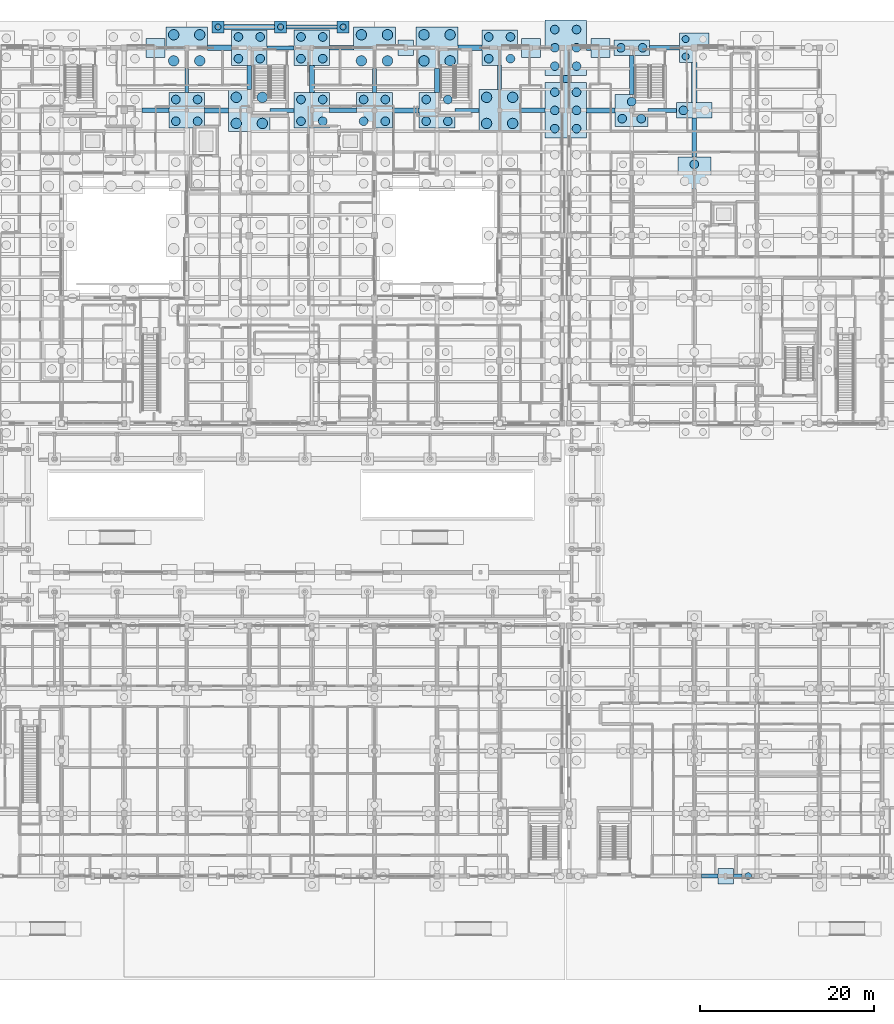
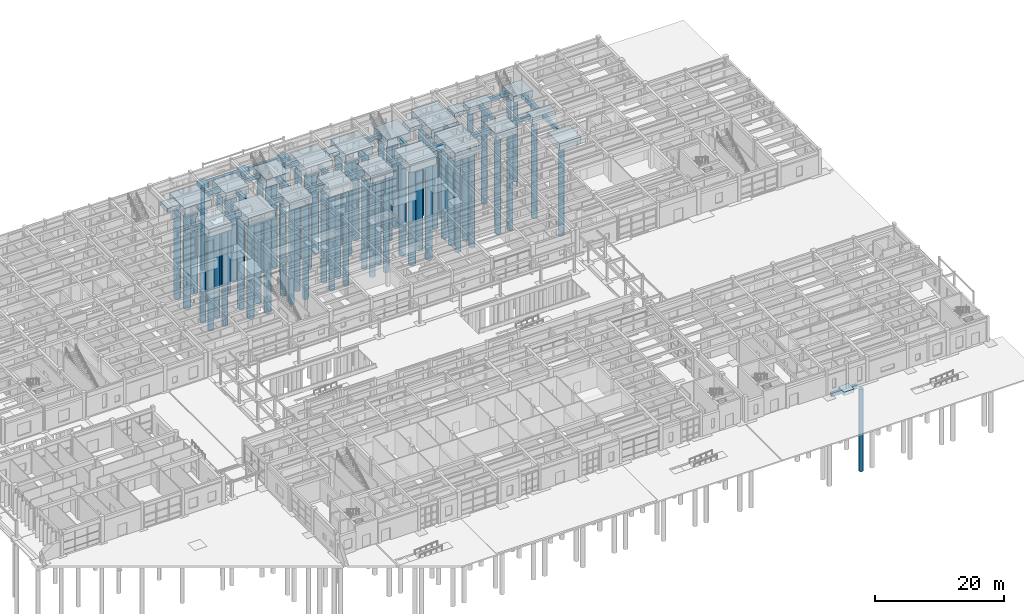
# One storey, part 10 of 143: 73 piles, 56 footings.
"""IFC4 building model written with IfcOpenShell, lengths in metres."""

from ifc_helpers import new_model, si_unit, direction, frame, origin, origin_2d, place, context, subcontext, project, spatial, rectangle, circle, extrude, material, material_profile, profile_set, type_object, element, save


model = new_model("IFC4")

# Units and contexts
model_context = context("Model", 3, precision=1e-05, world=origin(), true_north=direction((0.0, 1.0)))
body_context = subcontext(model_context, "Body", "Model", "MODEL_VIEW")
ifc_project = project(units=[si_unit("LENGTHUNIT", "METRE"), si_unit("AREAUNIT", "SQUARE_METRE"), si_unit("VOLUMEUNIT", "CUBIC_METRE"), si_unit("PLANEANGLEUNIT", "RADIAN"), si_unit("MASSUNIT", "GRAM", prefix="KILO")], contexts=[model_context])

# Site, building, storey
site_placement = place(None, origin())
site = spatial("IfcSite", under=ifc_project, at=site_placement, CompositionType="ELEMENT")
building_placement = place(site_placement, origin())
building = spatial("IfcBuilding", under=site, at=building_placement, Name="Steenspoor Specialist Clinic", CompositionType="ELEMENT")
storey_placement = place(building_placement, origin())
storey = spatial("IfcBuildingStorey", under=building, at=storey_placement, Name="L00", CompositionType="ELEMENT", Elevation=0.0)

# Footings
ifc_material = material(Name="Concrete C35/45", Category="concrete")
footing_type_1 = type_object("IfcFootingType", Name="FTG-PAD-180", PredefinedType="PAD_FOOTING", material=ifc_material)
for number, where, z_axis, x_axis, name in (
    (1, (136.0, 13.050048828125, -0.64990234375), (0.0, 0.0, 1.0), (1.0, 0.0, 0.0), "Pad Footing FTG-PAD-069"),
    (2, (99.199951171875, 108.35009765625, -0.64990234375), (0.0, 0.0, 1.0), (1.0, 0.0, 0.0), "Pad Footing FTG-PAD-073"),
):
    element("IfcFooting", number, at=place(storey_placement, frame(where, z_axis=z_axis, x_axis=x_axis)), inside=storey, type_object=footing_type_1, Name=name, PredefinedType="PAD_FOOTING", context=body_context, shape_type="SweptSolid", body=[
        extrude(rectangle(XDim=1.800048828125, YDim=1.800048828125, at=origin_2d()), origin(), (0.0, 0.0, 1.0), 0.64990234375),
    ])
footing_type_2 = type_object("IfcFootingType", Name="FTG-PAD-220", PredefinedType="PAD_FOOTING", material=ifc_material)
for number, where, z_axis, x_axis, name in (
    (3, (70.39990234375, 108.35009765625, -0.75), (0.0, 0.0, 1.0), (1.0, 0.0, 0.0), "Pad Footing FTG-PAD-072"),
    (4, (113.60009765625, 108.35009765625, -0.75), (0.0, 0.0, 1.0), (1.0, 0.0, 0.0), "Pad Footing FTG-PAD-074"),
    (5, (121.60009765625, 108.35009765625, -0.75), (0.0, 0.0, 1.0), (1.0, 0.0, 0.0), "Pad Footing FTG-PAD-076"),
):
    element("IfcFooting", number, at=place(storey_placement, frame(where, z_axis=z_axis, x_axis=x_axis)), inside=storey, type_object=footing_type_2, Name=name, PredefinedType="PAD_FOOTING", context=body_context, shape_type="SweptSolid", body=[
        extrude(rectangle(XDim=2.199951171875, YDim=2.199951171875, at=origin_2d()), origin(), (0.0, 0.0, 1.0), 0.75),
    ])
footing_type_3 = type_object("IfcFootingType", Name="FTG-PC-1P-700", PredefinedType="PILE_CAP", material=ifc_material)
for number, where, z_axis, x_axis, name in (
    (6, (77.60009765625, 110.75, -0.89990234375), (0.0, 0.0, 1.0), (1.0, 0.0, 0.0), "Pad Footing FTG-PAD-006"),
    (7, (84.800048828125, 110.75, -0.89990234375), (0.0, 0.0, 1.0), (1.0, 0.0, 0.0), "Pad Footing FTG-PAD-007"),
    (8, (92.0, 110.75, -0.89990234375), (0.0, 0.0, 1.0), (1.0, 0.0, 0.0), "Pad Footing FTG-PAD-008"),
):
    element("IfcFooting", number, at=place(storey_placement, frame(where, z_axis=z_axis, x_axis=x_axis)), inside=storey, type_object=footing_type_3, Name=name, PredefinedType="PILE_CAP", context=body_context, shape_type="SweptSolid", body=[
        extrude(rectangle(XDim=1.39990234375, YDim=1.39990234375, at=origin_2d()), origin(), (0.0, 0.0, 1.0), 0.89990234375),
    ])
footing_type_4 = type_object("IfcFootingType", Name="FTG-PC-2P-1000", PredefinedType="PILE_CAP", material=ifc_material)
for number, where, z_axis, x_axis, name in (
    (9, (125.199951171875, 108.35009765625, -1.25), (0.0, 0.0, 1.0), (1.0, 0.0, 0.0), "Pile Cap FTG-PC-205"),
    (10, (132.39990234375, 101.14990234375, -1.25), (0.0, 0.0, 1.0), (1.0, 0.0, 0.0), "Pile Cap FTG-PC-211"),
):
    element("IfcFooting", number, at=place(storey_placement, frame(where, z_axis=z_axis, x_axis=x_axis)), inside=storey, type_object=footing_type_4, Name=name, PredefinedType="PILE_CAP", context=body_context, shape_type="SweptSolid", body=[
        extrude(rectangle(XDim=4.10009765625, YDim=1.800048828125, at=origin_2d()), origin(), (0.0, 0.0, 1.0), 1.25),
    ])
footing_type_5 = type_object("IfcFootingType", Name="FTG-PC-3P-1000", PredefinedType="PILE_CAP", material=ifc_material)
for number, where, z_axis, x_axis, name in (
    (11, (125.199951171875, 101.14990234375, -1.2998046875), (0.0, 0.0, 1.0), (1.0, 0.0, 0.0), "Pile Cap FTG-PC-204"),
    (12, (132.39990234375, 93.949951171875, -1.2998046875), (0.0, 0.0, 1.0), (1.0, 0.0, 0.0), "Pile Cap FTG-PC-210"),
):
    element("IfcFooting", number, at=place(storey_placement, frame(where, z_axis=z_axis, x_axis=x_axis)), inside=storey, type_object=footing_type_5, Name=name, PredefinedType="PILE_CAP", context=body_context, shape_type="SweptSolid", body=[
        extrude(rectangle(XDim=3.800048828125, YDim=3.699951171875, at=origin_2d()), origin(), (0.0, 0.0, 1.0), 1.300048828125),
    ])
footing_type_6 = type_object("IfcFootingType", Name="FTG-PC-4P-1000", PredefinedType="PILE_CAP", material=ifc_material)
for number, where, z_axis, x_axis, name in (
    (13, (74.0, 101.14990234375, -1.39990234375), (0.0, 0.0, 1.0), (1.0, 0.0, 0.0), "Pile Cap FTG-PC-125"),
    (14, (81.199951171875, 108.35009765625, -1.39990234375), (0.0, 0.0, 1.0), (1.0, 0.0, 0.0), "Pile Cap FTG-PC-133"),
    (15, (88.39990234375, 101.14990234375, -1.39990234375), (0.0, 0.0, 1.0), (1.0, 0.0, 0.0), "Pile Cap FTG-PC-139"),
    (16, (88.39990234375, 108.35009765625, -1.39990234375), (0.0, 0.0, 1.0), (1.0, 0.0, 0.0), "Pile Cap FTG-PC-140"),
    (17, (95.60009765625, 101.14990234375, -1.39990234375), (0.0, 0.0, 1.0), (1.0, 0.0, 0.0), "Pile Cap FTG-PC-146"),
    (18, (102.800048828125, 101.14990234375, -1.39990234375), (0.0, 0.0, 1.0), (1.0, 0.0, 0.0), "Pile Cap FTG-PC-152"),
    (19, (110.0, 108.35009765625, -1.39990234375), (0.0, 0.0, 1.0), (1.0, 0.0, 0.0), "Pile Cap FTG-PC-160"),
):
    element("IfcFooting", number, at=place(storey_placement, frame(where, z_axis=z_axis, x_axis=x_axis)), inside=storey, type_object=footing_type_6, Name=name, PredefinedType="PILE_CAP", context=body_context, shape_type="SweptSolid", body=[
        extrude(rectangle(XDim=4.10009765625, YDim=4.10009765625, at=origin_2d()), origin(), (0.0, 0.0, 1.0), 1.39990234375),
    ])
footing_type_7 = type_object("IfcFootingType", Name="FTG-PC-4P-1200", PredefinedType="PILE_CAP", material=ifc_material)
for number, where, z_axis, x_axis, name in (
    (20, (74.0, 108.35009765625, -1.5498046875), (0.0, 0.0, 1.0), (1.0, 0.0, 0.0), "Pile Cap FTG-PC-126"),
    (21, (81.199951171875, 101.14990234375, -1.5498046875), (0.0, 0.0, 1.0), (1.0, 0.0, 0.0), "Pile Cap FTG-PC-132"),
    (22, (95.60009765625, 108.35009765625, -1.5498046875), (0.0, 0.0, 1.0), (1.0, 0.0, 0.0), "Pile Cap FTG-PC-147"),
    (23, (102.800048828125, 108.35009765625, -1.5498046875), (0.0, 0.0, 1.0), (1.0, 0.0, 0.0), "Pile Cap FTG-PC-153"),
    (24, (110.0, 101.14990234375, -1.5498046875), (0.0, 0.0, 1.0), (1.0, 0.0, 0.0), "Pile Cap FTG-PC-159"),
):
    element("IfcFooting", number, at=place(storey_placement, frame(where, z_axis=z_axis, x_axis=x_axis)), inside=storey, type_object=footing_type_7, Name=name, PredefinedType="PILE_CAP", context=body_context, shape_type="SweptSolid", body=[
        extrude(rectangle(XDim=4.800048828125, YDim=4.800048828125, at=origin_2d()), origin(), (0.0, 0.0, 1.0), 1.550048828125),
    ])
footing_type_8 = type_object("IfcFootingType", Name="FTG-PC-4P-800", PredefinedType="PILE_CAP", material=ifc_material)
footing_1_placement = place(storey_placement, frame((132.39990234375, 108.35009765625, -1.2001953125), z_axis=(0.0, 0.0, 1.0), x_axis=(1.0, 0.0, 0.0)))
element("IfcFooting", 25, at=footing_1_placement, inside=storey, type_object=footing_type_8, Name="Pile Cap FTG-PC-212", PredefinedType="PILE_CAP", context=body_context, shape_type="SweptSolid", body=[
    extrude(rectangle(XDim=3.39990234375, YDim=3.39990234375, at=origin_2d()), origin(), (0.0, 0.0, 1.0), 1.199951171875),
])
footing_type_9 = type_object("IfcFootingType", Name="FTG-PC-SJ-6P", PredefinedType="PILE_CAP", material=ifc_material)
for number, where, z_axis, x_axis, name in (
    (26, (117.60009765625, 101.14990234375, -1.60009765625), (0.0, 0.0, 1.0), (1.0, 0.0, 0.0), "Pile Cap FTG-PC-166"),
    (27, (117.60009765625, 108.35009765625, -1.60009765625), (0.0, 0.0, 1.0), (1.0, 0.0, 0.0), "Pile Cap FTG-PC-167"),
):
    element("IfcFooting", number, at=place(storey_placement, frame(where, z_axis=z_axis, x_axis=x_axis)), inside=storey, type_object=footing_type_9, Name=name, PredefinedType="PILE_CAP", context=body_context, shape_type="SweptSolid", body=[
        extrude(rectangle(XDim=4.800048828125, YDim=6.39990234375, at=origin_2d()), origin(), (0.0, 0.0, 1.0), 1.60009765625),
    ])
footing_type_10 = type_object("IfcFootingType", Name="FTG-TB-450X650", PredefinedType="FOOTING_BEAM", material=ifc_material)
footing_2_placement = place(storey_placement, frame((134.14990234375, 13.050048828125, -0.64990234375), z_axis=(0.0, 0.0, 1.0), x_axis=(1.0, 0.0, 0.0)))
element("IfcFooting", 28, at=footing_2_placement, inside=storey, type_object=footing_type_10, Name="Seismic Tie Beam FTG-TB-014", PredefinedType="FOOTING_BEAM", context=body_context, shape_type="SweptSolid", body=[
    extrude(rectangle(XDim=1.89990234375, YDim=0.449951171875, at=origin_2d()), origin(), (0.0, 0.0, 1.0), 0.64990234375),
])
for number, where, z_axis, x_axis, name in (
    (29, (84.97509765625, 101.14990234375, -0.64990234375), (0.0, 0.0, 1.0), (1.0, 0.0, 0.0), "Seismic Tie Beam FTG-TB-233"),
    (30, (106.22509765625, 101.14990234375, -0.64990234375), (0.0, 0.0, 1.0), (1.0, 0.0, 0.0), "Seismic Tie Beam FTG-TB-236"),
):
    element("IfcFooting", number, at=place(storey_placement, frame(where, z_axis=z_axis, x_axis=x_axis)), inside=storey, type_object=footing_type_10, Name=name, PredefinedType="FOOTING_BEAM", context=body_context, shape_type="SweptSolid", body=[
        extrude(rectangle(XDim=2.75, YDim=0.449951171875, at=origin_2d()), origin(), (0.0, 0.0, 1.0), 0.64990234375),
    ])
footing_3_placement = place(storey_placement, frame((128.72509765625, 101.14990234375, -0.64990234375), z_axis=(0.0, 0.0, 1.0), x_axis=(1.0, 0.0, 0.0)))
element("IfcFooting", 31, at=footing_3_placement, inside=storey, type_object=footing_type_10, Name="Seismic Tie Beam FTG-TB-239", PredefinedType="FOOTING_BEAM", context=body_context, shape_type="SweptSolid", body=[
    extrude(rectangle(XDim=3.25, YDim=0.449951171875, at=origin_2d()), origin(), (0.0, 0.0, 1.0), 0.64990234375),
])
footing_4_placement = place(storey_placement, frame((84.800048828125, 108.35009765625, -0.64990234375), z_axis=(0.0, 0.0, 1.0), x_axis=(1.0, 0.0, 0.0)))
element("IfcFooting", 32, at=footing_4_placement, inside=storey, type_object=footing_type_10, Name="Seismic Tie Beam FTG-TB-251", PredefinedType="FOOTING_BEAM", context=body_context, shape_type="SweptSolid", body=[
    extrude(rectangle(XDim=3.10009765625, YDim=0.449951171875, at=origin_2d()), origin(), (0.0, 0.0, 1.0), 0.64990234375),
])
footing_5_placement = place(storey_placement, frame((88.39990234375, 110.75, -0.64990234375), z_axis=(0.0, 0.0, 1.0), x_axis=(1.0, 0.0, 0.0)))
element("IfcFooting", 33, at=footing_5_placement, inside=storey, type_object=footing_type_10, Name="Seismic Tie Beam FTG-TB-263", PredefinedType="FOOTING_BEAM", context=body_context, shape_type="SweptSolid", body=[
    extrude(rectangle(XDim=5.800048828125, YDim=0.449951171875, at=origin_2d()), origin(), (0.0, 0.0, 1.0), 0.64990234375),
])
for number, where, z_axis, x_axis, name in (
    (34, (74.0, 104.574951171875, -0.64990234375), (0.0, 0.0, 1.0), (1.0, 0.0, 0.0), "Seismic Tie Beam FTG-TB-356"),
    (35, (95.60009765625, 104.574951171875, -0.64990234375), (0.0, 0.0, 1.0), (1.0, 0.0, 0.0), "Seismic Tie Beam FTG-TB-386"),
    (36, (110.0, 104.925048828125, -0.64990234375), (0.0, 0.0, 1.0), (1.0, 0.0, 0.0), "Seismic Tie Beam FTG-TB-404"),
):
    element("IfcFooting", number, at=place(storey_placement, frame(where, z_axis=z_axis, x_axis=x_axis)), inside=storey, type_object=footing_type_10, Name=name, PredefinedType="FOOTING_BEAM", context=body_context, shape_type="SweptSolid", body=[
        extrude(rectangle(XDim=0.449951171875, YDim=2.75, at=origin_2d()), origin(), (0.0, 0.0, 1.0), 0.64990234375),
    ])
footing_type_11 = type_object("IfcFootingType", Name="FTG-TB-500X700", PredefinedType="FOOTING_BEAM", material=ifc_material)
footing_6_placement = place(storey_placement, frame((137.39990234375, 13.050048828125, -0.7001953125), z_axis=(0.0, 0.0, 1.0), x_axis=(1.0, 0.0, 0.0)))
element("IfcFooting", 37, at=footing_6_placement, inside=storey, type_object=footing_type_11, Name="Seismic Tie Beam FTG-TB-015", PredefinedType="FOOTING_BEAM", context=body_context, shape_type="SweptSolid", body=[
    extrude(rectangle(XDim=1.0, YDim=0.5, at=origin_2d()), origin(), (0.0, 0.0, 1.0), 0.699951171875),
])
for number, where, z_axis, x_axis, name in (
    (38, (70.39990234375, 101.14990234375, -0.7001953125), (0.0, 0.0, 1.0), (1.0, 0.0, 0.0), "Seismic Tie Beam FTG-TB-231"),
    (39, (92.0, 101.14990234375, -0.7001953125), (0.0, 0.0, 1.0), (1.0, 0.0, 0.0), "Seismic Tie Beam FTG-TB-234"),
):
    element("IfcFooting", number, at=place(storey_placement, frame(where, z_axis=z_axis, x_axis=x_axis)), inside=storey, type_object=footing_type_11, Name=name, PredefinedType="FOOTING_BEAM", context=body_context, shape_type="SweptSolid", body=[
        extrude(rectangle(XDim=3.10009765625, YDim=0.5, at=origin_2d()), origin(), (0.0, 0.0, 1.0), 0.699951171875),
    ])
footing_7_placement = place(storey_placement, frame((113.800048828125, 101.14990234375, -0.7001953125), z_axis=(0.0, 0.0, 1.0), x_axis=(1.0, 0.0, 0.0)))
element("IfcFooting", 40, at=footing_7_placement, inside=storey, type_object=footing_type_11, Name="Seismic Tie Beam FTG-TB-237", PredefinedType="FOOTING_BEAM", context=body_context, shape_type="SweptSolid", body=[
    extrude(rectangle(XDim=2.800048828125, YDim=0.5, at=origin_2d()), origin(), (0.0, 0.0, 1.0), 0.699951171875),
])
footing_8_placement = place(storey_placement, frame((91.824951171875, 108.35009765625, -0.7001953125), z_axis=(0.0, 0.0, 1.0), x_axis=(1.0, 0.0, 0.0)))
element("IfcFooting", 41, at=footing_8_placement, inside=storey, type_object=footing_type_11, Name="Seismic Tie Beam FTG-TB-252", PredefinedType="FOOTING_BEAM", context=body_context, shape_type="SweptSolid", body=[
    extrude(rectangle(XDim=2.75, YDim=0.5, at=origin_2d()), origin(), (0.0, 0.0, 1.0), 0.699951171875),
])
footing_9_placement = place(storey_placement, frame((128.97509765625, 108.35009765625, -0.7001953125), z_axis=(0.0, 0.0, 1.0), x_axis=(1.0, 0.0, 0.0)))
element("IfcFooting", 42, at=footing_9_placement, inside=storey, type_object=footing_type_11, Name="Seismic Tie Beam FTG-TB-258", PredefinedType="FOOTING_BEAM", context=body_context, shape_type="SweptSolid", body=[
    extrude(rectangle(XDim=3.449951171875, YDim=0.5, at=origin_2d()), origin(), (0.0, 0.0, 1.0), 0.699951171875),
])
footing_10_placement = place(storey_placement, frame((81.199951171875, 104.925048828125, -0.7001953125), z_axis=(0.0, 0.0, 1.0), x_axis=(1.0, 0.0, 0.0)))
element("IfcFooting", 43, at=footing_10_placement, inside=storey, type_object=footing_type_11, Name="Seismic Tie Beam FTG-TB-366", PredefinedType="FOOTING_BEAM", context=body_context, shape_type="SweptSolid", body=[
    extrude(rectangle(XDim=0.5, YDim=2.75, at=origin_2d()), origin(), (0.0, 0.0, 1.0), 0.699951171875),
])
for number, where, z_axis, x_axis, name in (
    (44, (125.199951171875, 105.22509765625, -0.7001953125), (0.0, 0.0, 1.0), (1.0, 0.0, 0.0), "Seismic Tie Beam FTG-TB-426"),
    (45, (132.39990234375, 98.02490234375, -0.7001953125), (0.0, 0.0, 1.0), (1.0, 0.0, 0.0), "Seismic Tie Beam FTG-TB-435"),
):
    element("IfcFooting", number, at=place(storey_placement, frame(where, z_axis=z_axis, x_axis=x_axis)), inside=storey, type_object=footing_type_11, Name=name, PredefinedType="FOOTING_BEAM", context=body_context, shape_type="SweptSolid", body=[
        extrude(rectangle(XDim=0.5, YDim=4.449951171875, at=origin_2d()), origin(), (0.0, 0.0, 1.0), 0.699951171875),
    ])
footing_type_12 = type_object("IfcFootingType", Name="FTG-TB-600X800", PredefinedType="FOOTING_BEAM", material=ifc_material)
footing_11_placement = place(storey_placement, frame((77.425048828125, 101.14990234375, -0.7998046875), z_axis=(0.0, 0.0, 1.0), x_axis=(1.0, 0.0, 0.0)))
element("IfcFooting", 46, at=footing_11_placement, inside=storey, type_object=footing_type_12, Name="Seismic Tie Beam FTG-TB-232", PredefinedType="FOOTING_BEAM", context=body_context, shape_type="SweptSolid", body=[
    extrude(rectangle(XDim=2.75, YDim=0.60009765625, at=origin_2d()), origin(), (0.0, 0.0, 1.0), 0.800048828125),
])
footing_12_placement = place(storey_placement, frame((99.199951171875, 101.14990234375, -0.7998046875), z_axis=(0.0, 0.0, 1.0), x_axis=(1.0, 0.0, 0.0)))
element("IfcFooting", 47, at=footing_12_placement, inside=storey, type_object=footing_type_12, Name="Seismic Tie Beam FTG-TB-235", PredefinedType="FOOTING_BEAM", context=body_context, shape_type="SweptSolid", body=[
    extrude(rectangle(XDim=3.10009765625, YDim=0.60009765625, at=origin_2d()), origin(), (0.0, 0.0, 1.0), 0.800048828125),
])
footing_13_placement = place(storey_placement, frame((121.64990234375, 101.14990234375, -0.7998046875), z_axis=(0.0, 0.0, 1.0), x_axis=(1.0, 0.0, 0.0)))
element("IfcFooting", 48, at=footing_13_placement, inside=storey, type_object=footing_type_12, Name="Seismic Tie Beam FTG-TB-238", PredefinedType="FOOTING_BEAM", context=body_context, shape_type="SweptSolid", body=[
    extrude(rectangle(XDim=3.300048828125, YDim=0.60009765625, at=origin_2d()), origin(), (0.0, 0.0, 1.0), 0.800048828125),
])
for number, where, z_axis, x_axis, name in (
    (49, (77.77490234375, 108.35009765625, -0.7998046875), (0.0, 0.0, 1.0), (1.0, 0.0, 0.0), "Seismic Tie Beam FTG-TB-250"),
    (50, (106.574951171875, 108.35009765625, -0.7998046875), (0.0, 0.0, 1.0), (1.0, 0.0, 0.0), "Seismic Tie Beam FTG-TB-253"),
):
    element("IfcFooting", number, at=place(storey_placement, frame(where, z_axis=z_axis, x_axis=x_axis)), inside=storey, type_object=footing_type_12, Name=name, PredefinedType="FOOTING_BEAM", context=body_context, shape_type="SweptSolid", body=[
        extrude(rectangle(XDim=2.75, YDim=0.60009765625, at=origin_2d()), origin(), (0.0, 0.0, 1.0), 0.800048828125),
    ])
footing_14_placement = place(storey_placement, frame((120.25, 108.35009765625, -0.7998046875), z_axis=(0.0, 0.0, 1.0), x_axis=(1.0, 0.0, 0.0)))
element("IfcFooting", 51, at=footing_14_placement, inside=storey, type_object=footing_type_12, Name="Seismic Tie Beam FTG-TB-256", PredefinedType="FOOTING_BEAM", context=body_context, shape_type="SweptSolid", body=[
    extrude(rectangle(XDim=0.5, YDim=0.60009765625, at=origin_2d()), origin(), (0.0, 0.0, 1.0), 0.800048828125),
])
footing_15_placement = place(storey_placement, frame((81.199951171875, 110.75, -0.7998046875), z_axis=(0.0, 0.0, 1.0), x_axis=(1.0, 0.0, 0.0)))
element("IfcFooting", 52, at=footing_15_placement, inside=storey, type_object=footing_type_12, Name="Seismic Tie Beam FTG-TB-262", PredefinedType="FOOTING_BEAM", context=body_context, shape_type="SweptSolid", body=[
    extrude(rectangle(XDim=5.800048828125, YDim=0.60009765625, at=origin_2d()), origin(), (0.0, 0.0, 1.0), 0.800048828125),
])
footing_16_placement = place(storey_placement, frame((88.39990234375, 104.75, -0.7998046875), z_axis=(0.0, 0.0, 1.0), x_axis=(1.0, 0.0, 0.0)))
element("IfcFooting", 53, at=footing_16_placement, inside=storey, type_object=footing_type_12, Name="Seismic Tie Beam FTG-TB-376", PredefinedType="FOOTING_BEAM", context=body_context, shape_type="SweptSolid", body=[
    extrude(rectangle(XDim=0.60009765625, YDim=3.10009765625, at=origin_2d()), origin(), (0.0, 0.0, 1.0), 0.800048828125),
])
footing_17_placement = place(storey_placement, frame((102.800048828125, 104.574951171875, -0.7998046875), z_axis=(0.0, 0.0, 1.0), x_axis=(1.0, 0.0, 0.0)))
element("IfcFooting", 54, at=footing_17_placement, inside=storey, type_object=footing_type_12, Name="Seismic Tie Beam FTG-TB-394", PredefinedType="FOOTING_BEAM", context=body_context, shape_type="SweptSolid", body=[
    extrude(rectangle(XDim=0.60009765625, YDim=2.75, at=origin_2d()), origin(), (0.0, 0.0, 1.0), 0.800048828125),
])
footing_18_placement = place(storey_placement, frame((117.60009765625, 104.75, -0.7998046875), z_axis=(0.0, 0.0, 1.0), x_axis=(1.0, 0.0, 0.0)))
element("IfcFooting", 55, at=footing_18_placement, inside=storey, type_object=footing_type_12, Name="Seismic Tie Beam FTG-TB-412", PredefinedType="FOOTING_BEAM", context=body_context, shape_type="SweptSolid", body=[
    extrude(rectangle(XDim=0.60009765625, YDim=0.800048828125, at=origin_2d()), origin(), (0.0, 0.0, 1.0), 0.800048828125),
])
footing_19_placement = place(storey_placement, frame((132.39990234375, 104.35009765625, -0.7998046875), z_axis=(0.0, 0.0, 1.0), x_axis=(1.0, 0.0, 0.0)))
element("IfcFooting", 56, at=footing_19_placement, inside=storey, type_object=footing_type_12, Name="Seismic Tie Beam FTG-TB-436", PredefinedType="FOOTING_BEAM", context=body_context, shape_type="SweptSolid", body=[
    extrude(rectangle(XDim=0.60009765625, YDim=4.60009765625, at=origin_2d()), origin(), (0.0, 0.0, 1.0), 0.800048828125),
])

# Piles
ifc_material_profile_1 = material_profile(ifc_material, circle(Radius=0.5, at=origin_2d()), Name="PILE-D1000")
ifc_profile_set_1 = profile_set([ifc_material_profile_1], Name="Concrete C35/45")
pile_type_1 = type_object("IfcPileType", Name="PILE-RC-D1000", PredefinedType="BORED", material=ifc_profile_set_1)
for number, where, z_axis, x_axis, name in (
    (57, (72.75, 99.89990234375, -1.300048828125), (0.0, 0.0, -1.0), (1.0, 0.0, 0.0), "Bored Pile PILE-0265"),
    (58, (75.25, 99.89990234375, -1.300048828125), (0.0, 0.0, -1.0), (1.0, 0.0, 0.0), "Bored Pile PILE-0266"),
    (59, (72.75, 102.39990234375, -1.300048828125), (0.0, 0.0, -1.0), (1.0, 0.0, 0.0), "Bored Pile PILE-0267"),
    (60, (75.25, 102.39990234375, -1.300048828125), (0.0, 0.0, -1.0), (1.0, 0.0, 0.0), "Bored Pile PILE-0268"),
    (61, (79.949951171875, 107.10009765625, -1.300048828125), (0.0, 0.0, -1.0), (1.0, 0.0, 0.0), "Bored Pile PILE-0295"),
    (62, (82.449951171875, 107.10009765625, -1.300048828125), (0.0, 0.0, -1.0), (1.0, 0.0, 0.0), "Bored Pile PILE-0296"),
    (63, (79.949951171875, 109.60009765625, -1.300048828125), (0.0, 0.0, -1.0), (1.0, 0.0, 0.0), "Bored Pile PILE-0297"),
    (64, (82.449951171875, 109.60009765625, -1.300048828125), (0.0, 0.0, -1.0), (1.0, 0.0, 0.0), "Bored Pile PILE-0298"),
    (65, (87.14990234375, 99.89990234375, -1.300048828125), (0.0, 0.0, -1.0), (1.0, 0.0, 0.0), "Bored Pile PILE-0316"),
    (66, (89.64990234375, 99.89990234375, -1.300048828125), (0.0, 0.0, -1.0), (1.0, 0.0, 0.0), "Bored Pile PILE-0317"),
    (67, (87.14990234375, 102.39990234375, -1.300048828125), (0.0, 0.0, -1.0), (1.0, 0.0, 0.0), "Bored Pile PILE-0318"),
    (68, (89.64990234375, 102.39990234375, -1.300048828125), (0.0, 0.0, -1.0), (1.0, 0.0, 0.0), "Bored Pile PILE-0319"),
    (69, (87.14990234375, 107.10009765625, -1.300048828125), (0.0, 0.0, -1.0), (1.0, 0.0, 0.0), "Bored Pile PILE-0320"),
    (70, (89.64990234375, 107.10009765625, -1.300048828125), (0.0, 0.0, -1.0), (1.0, 0.0, 0.0), "Bored Pile PILE-0321"),
    (71, (87.14990234375, 109.60009765625, -1.300048828125), (0.0, 0.0, -1.0), (1.0, 0.0, 0.0), "Bored Pile PILE-0322"),
    (72, (89.64990234375, 109.60009765625, -1.300048828125), (0.0, 0.0, -1.0), (1.0, 0.0, 0.0), "Bored Pile PILE-0323"),
    (73, (94.35009765625, 99.89990234375, -1.300048828125), (0.0, 0.0, -1.0), (1.0, 0.0, 0.0), "Bored Pile PILE-0340"),
    (74, (96.85009765625, 99.89990234375, -1.300048828125), (0.0, 0.0, -1.0), (1.0, 0.0, 0.0), "Bored Pile PILE-0341"),
    (75, (94.35009765625, 102.39990234375, -1.300048828125), (0.0, 0.0, -1.0), (1.0, 0.0, 0.0), "Bored Pile PILE-0342"),
    (76, (96.85009765625, 102.39990234375, -1.300048828125), (0.0, 0.0, -1.0), (1.0, 0.0, 0.0), "Bored Pile PILE-0343"),
    (77, (101.550048828125, 99.89990234375, -1.300048828125), (0.0, 0.0, -1.0), (1.0, 0.0, 0.0), "Bored Pile PILE-0360"),
    (78, (104.050048828125, 99.89990234375, -1.300048828125), (0.0, 0.0, -1.0), (1.0, 0.0, 0.0), "Bored Pile PILE-0361"),
    (79, (101.550048828125, 102.39990234375, -1.300048828125), (0.0, 0.0, -1.0), (1.0, 0.0, 0.0), "Bored Pile PILE-0362"),
    (80, (104.050048828125, 102.39990234375, -1.300048828125), (0.0, 0.0, -1.0), (1.0, 0.0, 0.0), "Bored Pile PILE-0363"),
    (81, (108.75, 107.10009765625, -1.300048828125), (0.0, 0.0, -1.0), (1.0, 0.0, 0.0), "Bored Pile PILE-0386"),
    (82, (111.25, 107.10009765625, -1.300048828125), (0.0, 0.0, -1.0), (1.0, 0.0, 0.0), "Bored Pile PILE-0387"),
    (83, (108.75, 109.60009765625, -1.300048828125), (0.0, 0.0, -1.0), (1.0, 0.0, 0.0), "Bored Pile PILE-0388"),
    (84, (111.25, 109.60009765625, -1.300048828125), (0.0, 0.0, -1.0), (1.0, 0.0, 0.0), "Bored Pile PILE-0389"),
):
    element("IfcPile", number, at=place(storey_placement, frame(where, z_axis=z_axis, x_axis=x_axis)), inside=storey, type_object=pile_type_1, Name=name, PredefinedType="BORED", context=body_context, shape_type="SweptSolid", body=[
        extrude(circle(Radius=0.5, at=origin_2d()), origin(), (0.0, 0.0, 1.0), 18.199951171875),
    ])
for number, where, z_axis, x_axis, name in (
    (85, (116.35009765625, 99.050048828125, -1.5), (0.0, 0.0, -1.0), (1.0, 0.0, 0.0), "Bored Pile PILE-0418"),
    (86, (118.85009765625, 99.050048828125, -1.5), (0.0, 0.0, -1.0), (1.0, 0.0, 0.0), "Bored Pile PILE-0419"),
    (87, (116.35009765625, 101.14990234375, -1.5), (0.0, 0.0, -1.0), (1.0, 0.0, 0.0), "Bored Pile PILE-0420"),
    (88, (118.85009765625, 101.14990234375, -1.5), (0.0, 0.0, -1.0), (1.0, 0.0, 0.0), "Bored Pile PILE-0421"),
    (89, (116.35009765625, 103.25, -1.5), (0.0, 0.0, -1.0), (1.0, 0.0, 0.0), "Bored Pile PILE-0422"),
    (90, (118.85009765625, 103.25, -1.5), (0.0, 0.0, -1.0), (1.0, 0.0, 0.0), "Bored Pile PILE-0423"),
    (91, (116.35009765625, 106.25, -1.5), (0.0, 0.0, -1.0), (1.0, 0.0, 0.0), "Bored Pile PILE-0424"),
    (92, (118.85009765625, 106.25, -1.5), (0.0, 0.0, -1.0), (1.0, 0.0, 0.0), "Bored Pile PILE-0425"),
    (93, (116.35009765625, 108.35009765625, -1.5), (0.0, 0.0, -1.0), (1.0, 0.0, 0.0), "Bored Pile PILE-0426"),
    (94, (118.85009765625, 108.35009765625, -1.5), (0.0, 0.0, -1.0), (1.0, 0.0, 0.0), "Bored Pile PILE-0427"),
    (95, (116.35009765625, 110.449951171875, -1.5), (0.0, 0.0, -1.0), (1.0, 0.0, 0.0), "Bored Pile PILE-0428"),
    (96, (118.85009765625, 110.449951171875, -1.5), (0.0, 0.0, -1.0), (1.0, 0.0, 0.0), "Bored Pile PILE-0429"),
):
    element("IfcPile", number, at=place(storey_placement, frame(where, z_axis=z_axis, x_axis=x_axis)), inside=storey, type_object=pile_type_1, Name=name, PredefinedType="BORED", context=body_context, shape_type="SweptSolid", body=[
        extrude(circle(Radius=0.5, at=origin_2d()), origin(), (0.0, 0.0, 1.0), 18.0),
    ])
for number, where, z_axis, x_axis, name in (
    (97, (124.10009765625, 100.199951171875, -1.199951171875), (0.0, 0.0, -1.0), (1.0, 0.0, 0.0), "Bored Pile PILE-0525"),
    (98, (126.300048828125, 100.199951171875, -1.199951171875), (0.0, 0.0, -1.0), (1.0, 0.0, 0.0), "Bored Pile PILE-0526"),
    (99, (125.199951171875, 102.14990234375, -1.199951171875), (0.0, 0.0, -1.0), (1.0, 0.0, 0.0), "Bored Pile PILE-0527"),
):
    element("IfcPile", number, at=place(storey_placement, frame(where, z_axis=z_axis, x_axis=x_axis)), inside=storey, type_object=pile_type_1, Name=name, PredefinedType="BORED", context=body_context, shape_type="SweptSolid", body=[
        extrude(circle(Radius=0.5, at=origin_2d()), origin(), (0.0, 0.0, 1.0), 18.300048828125),
    ])
for number, where, z_axis, x_axis, name in (
    (100, (123.949951171875, 108.35009765625, -1.14990234375), (0.0, 0.0, -1.0), (1.0, 0.0, 0.0), "Bored Pile PILE-0528"),
    (101, (126.449951171875, 108.35009765625, -1.14990234375), (0.0, 0.0, -1.0), (1.0, 0.0, 0.0), "Bored Pile PILE-0529"),
):
    element("IfcPile", number, at=place(storey_placement, frame(where, z_axis=z_axis, x_axis=x_axis)), inside=storey, type_object=pile_type_1, Name=name, PredefinedType="BORED", context=body_context, shape_type="SweptSolid", body=[
        extrude(circle(Radius=0.5, at=origin_2d()), origin(), (0.0, 0.0, 1.0), 18.35009765625),
    ])
pile_1_placement = place(storey_placement, frame((132.39990234375, 94.949951171875, -1.199951171875), z_axis=(0.0, 0.0, -1.0), x_axis=(1.0, 0.0, 0.0)))
element("IfcPile", 102, at=pile_1_placement, inside=storey, type_object=pile_type_1, Name="Bored Pile PILE-0545", PredefinedType="BORED", context=body_context, shape_type="SweptSolid", body=[
    extrude(circle(Radius=0.5, at=origin_2d()), origin(), (0.0, 0.0, 1.0), 18.300048828125),
])
pile_2_placement = place(storey_placement, frame((131.14990234375, 101.14990234375, -1.14990234375), z_axis=(0.0, 0.0, -1.0), x_axis=(1.0, 0.0, 0.0)))
element("IfcPile", 103, at=pile_2_placement, inside=storey, type_object=pile_type_1, Name="Bored Pile PILE-0546", PredefinedType="BORED", context=body_context, shape_type="SweptSolid", body=[
    extrude(circle(Radius=0.5, at=origin_2d()), origin(), (0.0, 0.0, 1.0), 18.35009765625),
])
ifc_material_profile_2 = material_profile(ifc_material, circle(Radius=0.60009765625, at=origin_2d()), Name="PILE-D1200")
ifc_profile_set_2 = profile_set([ifc_material_profile_2], Name="Concrete C35/45")
pile_type_2 = type_object("IfcPileType", Name="PILE-RC-D1200", PredefinedType="BORED", material=ifc_profile_set_2)
for number, where, z_axis, x_axis, name in (
    (104, (72.5, 106.85009765625, -1.449951171875), (0.0, 0.0, -1.0), (1.0, 0.0, 0.0), "Bored Pile PILE-0269"),
    (105, (75.5, 106.85009765625, -1.449951171875), (0.0, 0.0, -1.0), (1.0, 0.0, 0.0), "Bored Pile PILE-0270"),
    (106, (72.5, 109.85009765625, -1.449951171875), (0.0, 0.0, -1.0), (1.0, 0.0, 0.0), "Bored Pile PILE-0271"),
    (107, (75.5, 109.85009765625, -1.449951171875), (0.0, 0.0, -1.0), (1.0, 0.0, 0.0), "Bored Pile PILE-0272"),
    (108, (79.699951171875, 99.64990234375, -1.449951171875), (0.0, 0.0, -1.0), (1.0, 0.0, 0.0), "Bored Pile PILE-0291"),
    (109, (82.699951171875, 99.64990234375, -1.449951171875), (0.0, 0.0, -1.0), (1.0, 0.0, 0.0), "Bored Pile PILE-0292"),
    (110, (79.699951171875, 102.64990234375, -1.449951171875), (0.0, 0.0, -1.0), (1.0, 0.0, 0.0), "Bored Pile PILE-0293"),
    (111, (82.699951171875, 102.64990234375, -1.449951171875), (0.0, 0.0, -1.0), (1.0, 0.0, 0.0), "Bored Pile PILE-0294"),
    (112, (94.10009765625, 106.85009765625, -1.449951171875), (0.0, 0.0, -1.0), (1.0, 0.0, 0.0), "Bored Pile PILE-0344"),
    (113, (97.10009765625, 106.85009765625, -1.449951171875), (0.0, 0.0, -1.0), (1.0, 0.0, 0.0), "Bored Pile PILE-0345"),
    (114, (94.10009765625, 109.85009765625, -1.449951171875), (0.0, 0.0, -1.0), (1.0, 0.0, 0.0), "Bored Pile PILE-0346"),
    (115, (97.10009765625, 109.85009765625, -1.449951171875), (0.0, 0.0, -1.0), (1.0, 0.0, 0.0), "Bored Pile PILE-0347"),
    (116, (101.300048828125, 106.85009765625, -1.449951171875), (0.0, 0.0, -1.0), (1.0, 0.0, 0.0), "Bored Pile PILE-0364"),
    (117, (104.300048828125, 106.85009765625, -1.449951171875), (0.0, 0.0, -1.0), (1.0, 0.0, 0.0), "Bored Pile PILE-0365"),
    (118, (101.300048828125, 109.85009765625, -1.449951171875), (0.0, 0.0, -1.0), (1.0, 0.0, 0.0), "Bored Pile PILE-0366"),
    (119, (104.300048828125, 109.85009765625, -1.449951171875), (0.0, 0.0, -1.0), (1.0, 0.0, 0.0), "Bored Pile PILE-0367"),
    (120, (108.5, 99.64990234375, -1.449951171875), (0.0, 0.0, -1.0), (1.0, 0.0, 0.0), "Bored Pile PILE-0382"),
    (121, (111.5, 99.64990234375, -1.449951171875), (0.0, 0.0, -1.0), (1.0, 0.0, 0.0), "Bored Pile PILE-0383"),
    (122, (108.5, 102.64990234375, -1.449951171875), (0.0, 0.0, -1.0), (1.0, 0.0, 0.0), "Bored Pile PILE-0384"),
    (123, (111.5, 102.64990234375, -1.449951171875), (0.0, 0.0, -1.0), (1.0, 0.0, 0.0), "Bored Pile PILE-0385"),
):
    element("IfcPile", number, at=place(storey_placement, frame(where, z_axis=z_axis, x_axis=x_axis)), inside=storey, type_object=pile_type_2, Name=name, PredefinedType="BORED", context=body_context, shape_type="SweptSolid", body=[
        extrude(circle(Radius=0.60009765625, at=origin_2d()), origin(), (0.0, 0.0, 1.0), 18.050048828125),
    ])
ifc_material_profile_3 = material_profile(ifc_material, circle(Radius=0.35009765625, at=origin_2d()), Name="PILE-D700")
ifc_profile_set_3 = profile_set([ifc_material_profile_3], Name="Concrete C35/45")
pile_type_3 = type_object("IfcPileType", Name="PILE-RC-D700", PredefinedType="BORED", material=ifc_profile_set_3)
for number, where, z_axis, x_axis, name in (
    (124, (77.60009765625, 110.75, -0.800048828125), (0.0, 0.0, -1.0), (1.0, 0.0, 0.0), "Bored Pile PILE-0615"),
    (125, (84.800048828125, 110.75, -0.800048828125), (0.0, 0.0, -1.0), (1.0, 0.0, 0.0), "Bored Pile PILE-0616"),
    (126, (92.0, 110.75, -0.800048828125), (0.0, 0.0, -1.0), (1.0, 0.0, 0.0), "Bored Pile PILE-0617"),
):
    element("IfcPile", number, at=place(storey_placement, frame(where, z_axis=z_axis, x_axis=x_axis)), inside=storey, type_object=pile_type_3, Name=name, PredefinedType="BORED", context=body_context, shape_type="SweptSolid", body=[
        extrude(circle(Radius=0.35009765625, at=origin_2d()), origin(), (0.0, 0.0, 1.0), 15.699951171875),
    ])
ifc_material_profile_4 = material_profile(ifc_material, circle(Radius=0.39990234375, at=origin_2d()), Name="PILE-D800")
ifc_profile_set_4 = profile_set([ifc_material_profile_4], Name="Concrete C35/45")
pile_type_4 = type_object("IfcPileType", Name="PILE-RC-D800", PredefinedType="BORED", material=ifc_profile_set_4)
pile_3_placement = place(storey_placement, frame((138.60009765625, 13.050048828125, -1.0), z_axis=(0.0, 0.0, -1.0), x_axis=(1.0, 0.0, 0.0)))
element("IfcPile", 127, at=pile_3_placement, inside=storey, type_object=pile_type_4, Name="Bored Pile PILE-0124", PredefinedType="BORED", context=body_context, shape_type="SweptSolid", body=[
    extrude(circle(Radius=0.39990234375, at=origin_2d()), origin(), (0.0, 0.0, 1.0), 15.5),
])
for number, where, z_axis, x_axis, name in (
    (128, (131.39990234375, 107.35009765625, -1.10009765625), (0.0, 0.0, -1.0), (1.0, 0.0, 0.0), "Bored Pile PILE-0548"),
    (129, (131.39990234375, 109.35009765625, -1.10009765625), (0.0, 0.0, -1.0), (1.0, 0.0, 0.0), "Bored Pile PILE-0550"),
):
    element("IfcPile", number, at=place(storey_placement, frame(where, z_axis=z_axis, x_axis=x_axis)), inside=storey, type_object=pile_type_4, Name=name, PredefinedType="BORED", context=body_context, shape_type="SweptSolid", body=[
        extrude(circle(Radius=0.39990234375, at=origin_2d()), origin(), (0.0, 0.0, 1.0), 15.39990234375),
    ])

save(model, "model.ifc")
